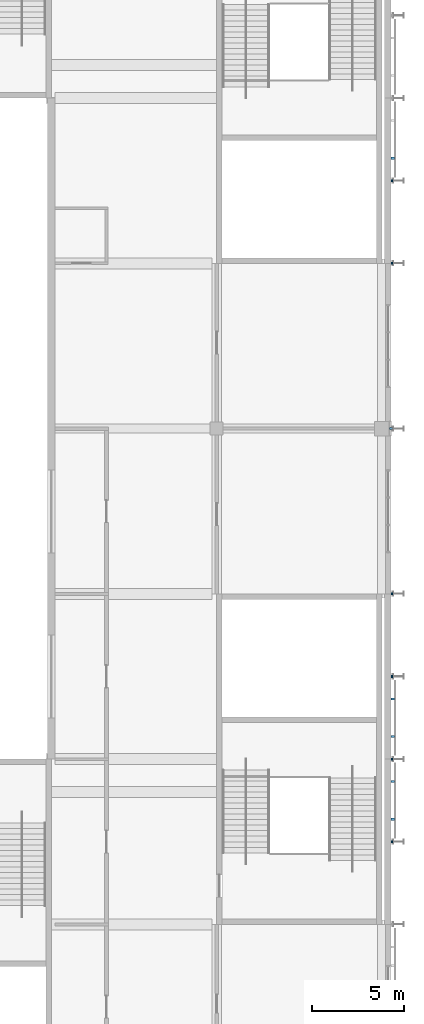
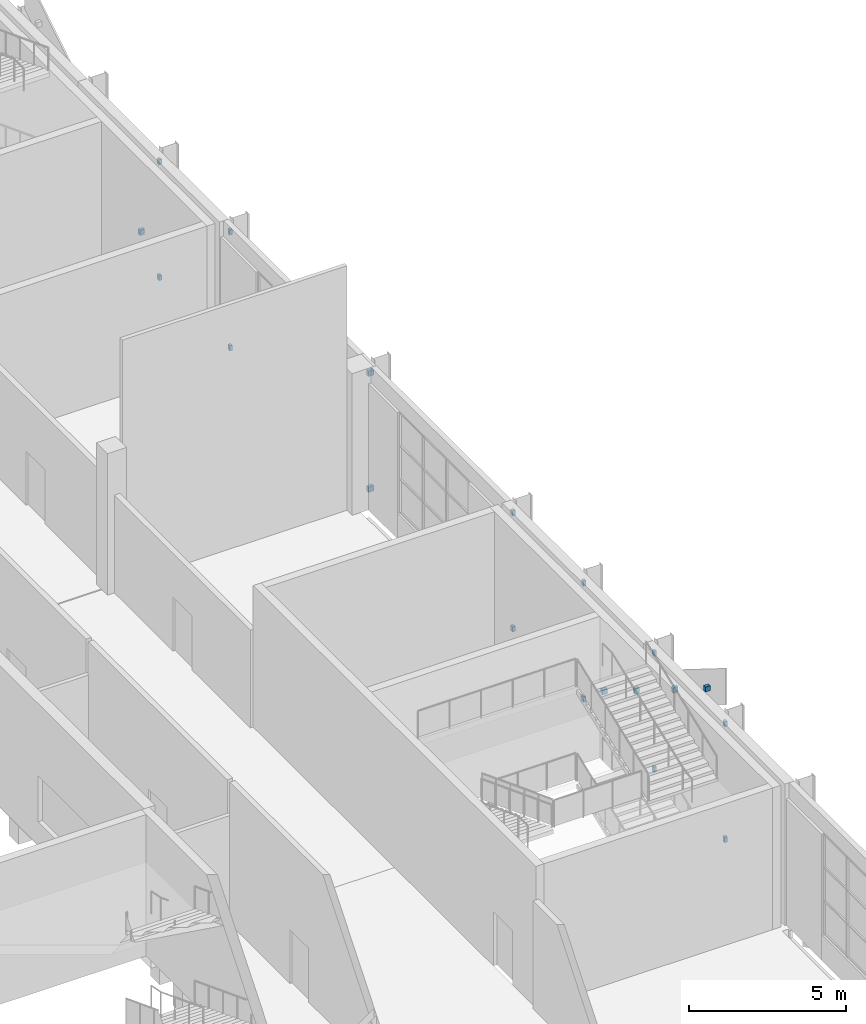
# One storey, part 57 of 84: 19 discrete accessories.
"""IFC4 building model written with IfcOpenShell, lengths in metres."""

from ifc_helpers import new_model, si_unit, direction, frame, origin, origin_2d, place, context, subcontext, project, spatial, rectangle, extrude, material, type_object, element, save


model = new_model("IFC4")

# Units and contexts
model_context = context("Model", 3, precision=1e-05, world=origin(), true_north=direction((0.0, 1.0)))
body_context = subcontext(model_context, "Body", "Model", "MODEL_VIEW")
ifc_project = project(units=[si_unit("LENGTHUNIT", "METRE"), si_unit("AREAUNIT", "SQUARE_METRE"), si_unit("VOLUMEUNIT", "CUBIC_METRE"), si_unit("PLANEANGLEUNIT", "RADIAN"), si_unit("MASSUNIT", "GRAM", prefix="KILO")], contexts=[model_context])

# Site, building, storey
site_placement = place(None, origin())
site = spatial("IfcSite", under=ifc_project, at=site_placement, CompositionType="ELEMENT")
building_placement = place(site_placement, origin())
building = spatial("IfcBuilding", under=site, at=building_placement, Name="Silverbay Arena", CompositionType="ELEMENT")
storey_placement = place(building_placement, frame((0.0, 0.0, 28.0)))
storey = spatial("IfcBuildingStorey", under=building, at=storey_placement, Name="L04", CompositionType="ELEMENT", Elevation=28.0)

# Discrete accessories
ifc_material = material(Name="Steel S355", Category="steel")
discrete_accessory_type = type_object("IfcDiscreteAccessoryType", Name="Steel bracket plate", PredefinedType="BRACKET", material=ifc_material)
for number, where, z_axis, x_axis, name in (
    (1, (207.550048828125, 58.5, 0.39990234375), (0.0, 0.0, 1.0), (1.0, 0.0, 0.0), "Fin bracket"),
    (2, (207.550048828125, 58.5, 4.89990234375), (0.0, 0.0, 1.0), (1.0, 0.0, 0.0), "Fin bracket"),
    (3, (207.550048828125, 63.0, 0.39990234375), (0.0, 0.0, 1.0), (1.0, 0.0, 0.0), "Fin bracket"),
    (4, (207.550048828125, 63.0, 4.89990234375), (0.0, 0.0, 1.0), (1.0, 0.0, 0.0), "Fin bracket"),
    (5, (207.550048828125, 67.5, 0.39990234375), (0.0, 0.0, 1.0), (1.0, 0.0, 0.0), "Fin bracket"),
    (6, (207.550048828125, 67.5, 4.89990234375), (0.0, 0.0, 1.0), (1.0, 0.0, 0.0), "Fin bracket"),
    (7, (207.550048828125, 72.0, 0.39990234375), (0.0, 0.0, 1.0), (1.0, 0.0, 0.0), "Fin bracket"),
    (8, (207.550048828125, 72.0, 4.89990234375), (0.0, 0.0, 1.0), (1.0, 0.0, 0.0), "Fin bracket"),
):
    element("IfcDiscreteAccessory", number, at=place(storey_placement, frame(where, z_axis=z_axis, x_axis=x_axis)), inside=storey, type_object=discrete_accessory_type, Name=name, PredefinedType="BRACKET", context=body_context, shape_type="SweptSolid", body=[
        extrude(rectangle(XDim=0.10009765625, YDim=0.1201171875, at=origin_2d()), origin(), (0.0, 0.0, 1.0), 0.199951171875),
    ])
for number, where, z_axis, x_axis, name in (
    (9, (207.5, 81.0, 0.39990234375), (0.0, 0.0, 1.0), (1.0, 0.0, 0.0), "Fin bracket"),
    (10, (207.5, 81.0, 4.89990234375), (0.0, 0.0, 1.0), (1.0, 0.0, 0.0), "Fin bracket"),
):
    element("IfcDiscreteAccessory", number, at=place(storey_placement, frame(where, z_axis=z_axis, x_axis=x_axis)), inside=storey, type_object=discrete_accessory_type, Name=name, PredefinedType="BRACKET", context=body_context, shape_type="SweptSolid", body=[
        extrude(rectangle(XDim=0.199951171875, YDim=0.1201171875, at=origin_2d()), origin(), (0.0, 0.0, 1.0), 0.199951171875),
    ])
for number, where, z_axis, x_axis, name in (
    (11, (207.550048828125, 90.0, 0.39990234375), (0.0, 0.0, 1.0), (1.0, 0.0, 0.0), "Fin bracket"),
    (12, (207.550048828125, 90.0, 4.89990234375), (0.0, 0.0, 1.0), (1.0, 0.0, 0.0), "Fin bracket"),
    (13, (207.550048828125, 94.5, 0.39990234375), (0.0, 0.0, 1.0), (1.0, 0.0, 0.0), "Fin bracket"),
    (14, (207.550048828125, 94.5, 4.89990234375), (0.0, 0.0, 1.0), (1.0, 0.0, 0.0), "Fin bracket"),
):
    element("IfcDiscreteAccessory", number, at=place(storey_placement, frame(where, z_axis=z_axis, x_axis=x_axis)), inside=storey, type_object=discrete_accessory_type, Name=name, PredefinedType="BRACKET", context=body_context, shape_type="SweptSolid", body=[
        extrude(rectangle(XDim=0.10009765625, YDim=0.1201171875, at=origin_2d()), origin(), (0.0, 0.0, 1.0), 0.199951171875),
    ])
for number, where, z_axis, x_axis, name in (
    (15, (207.590087890625, 59.72509765625, 5.50439453125), (0.0, 0.0, 1.0), (1.0, 0.0, 0.0), "Band bracket"),
    (16, (207.590087890625, 61.77490234375, 4.22314453125), (0.0, 0.0, 1.0), (1.0, 0.0, 0.0), "Band bracket"),
    (17, (207.590087890625, 64.22509765625, 2.69189453125), (0.0, 0.0, 1.0), (1.0, 0.0, 0.0), "Band bracket"),
    (18, (207.590087890625, 66.27490234375, 1.41064453125), (0.0, 0.0, 1.0), (1.0, 0.0, 0.0), "Band bracket"),
    (19, (207.590087890625, 95.72509765625, 1.41064453125), (0.0, 0.0, 1.0), (1.0, 0.0, 0.0), "Band bracket"),
):
    element("IfcDiscreteAccessory", number, at=place(storey_placement, frame(where, z_axis=z_axis, x_axis=x_axis)), inside=storey, type_object=discrete_accessory_type, Name=name, PredefinedType="BRACKET", context=body_context, shape_type="SweptSolid", body=[
        extrude(rectangle(XDim=0.179931640625, YDim=0.1201171875, at=origin_2d()), origin(), (0.0, 0.0, 1.0), 0.199951171875),
    ])

save(model, "model.ifc")
